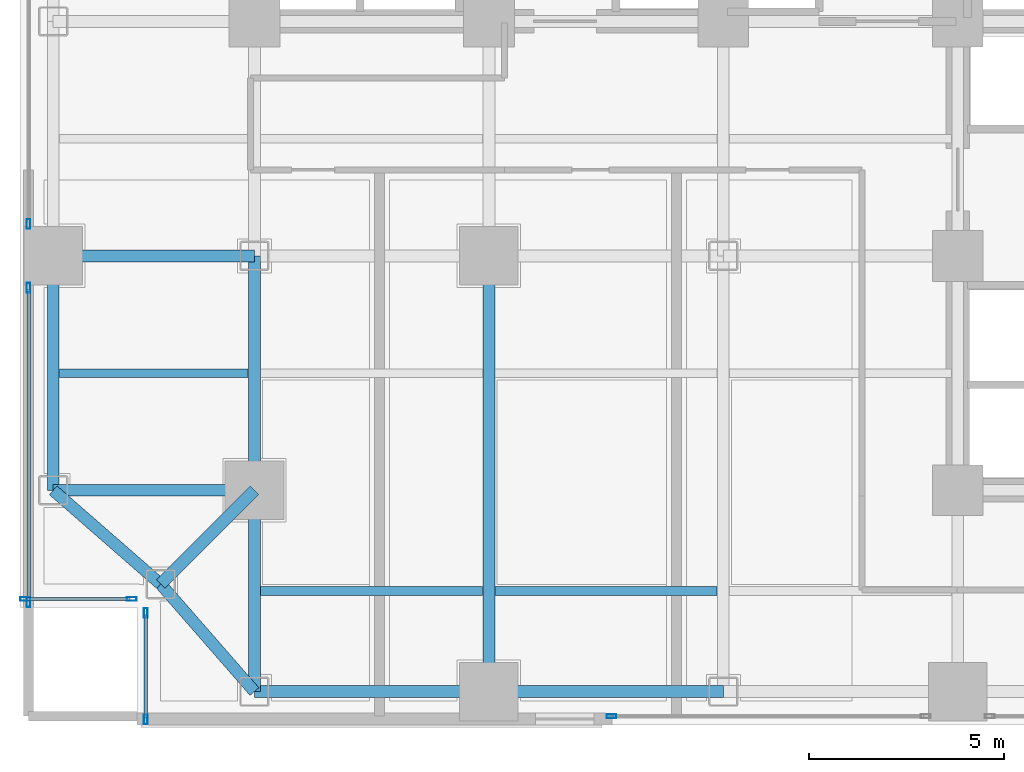
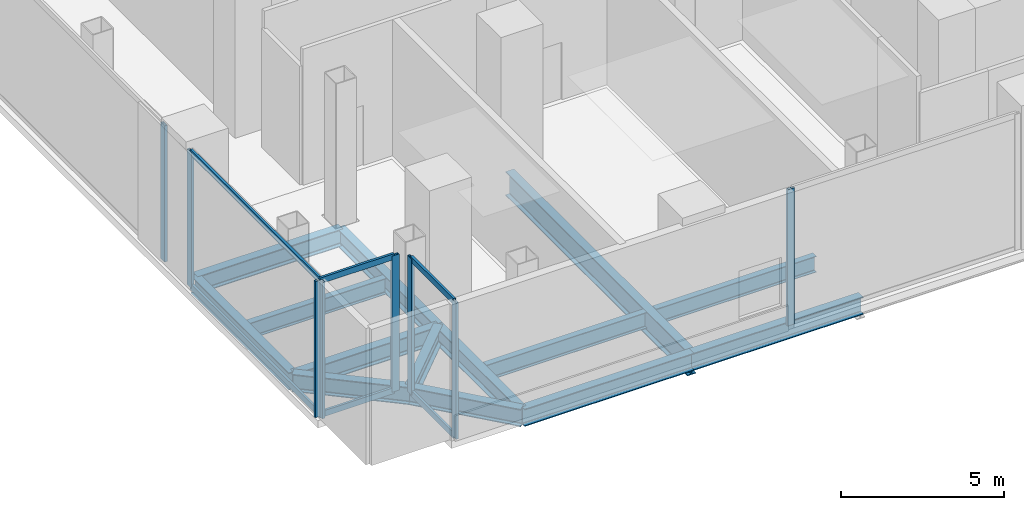
# One storey, part 3 of 28: 14 beams, 14 members, 5 elements without a shape of their own.
"""IFC4 building model written with IfcOpenShell, lengths in metres."""

from ifc_helpers import new_model, si_unit, direction, frame, origin, origin_2d, place, context, subcontext, project, spatial, hollow_rectangle, i_section, extrude, material, layer, layer_set, material_profile, profile_set, type_object, element, aggregate, save


model = new_model("IFC4")

# Units and contexts
model_context = context("Model", 3, precision=1e-05, world=origin(), true_north=direction((0.0, 1.0)))
body_context = subcontext(model_context, "Body", "Model", "MODEL_VIEW")
ifc_project = project(units=[si_unit("LENGTHUNIT", "METRE"), si_unit("AREAUNIT", "SQUARE_METRE"), si_unit("VOLUMEUNIT", "CUBIC_METRE"), si_unit("PLANEANGLEUNIT", "RADIAN"), si_unit("MASSUNIT", "GRAM", prefix="KILO"), si_unit("THERMODYNAMICTEMPERATUREUNIT", "KELVIN"), si_unit("POWERUNIT", "WATT")], contexts=[model_context])

# Site, building, storey
site_placement = place(None, origin())
site = spatial("IfcSite", under=ifc_project, at=site_placement, CompositionType="ELEMENT")
building_placement = place(site_placement, origin())
building = spatial("IfcBuilding", under=site, at=building_placement, Name="Svarakhadi Broadcast Tower", CompositionType="ELEMENT")
storey_placement = place(building_placement, frame((0.0, 0.0, 11.10009765625)))
storey = spatial("IfcBuildingStorey", under=building, at=storey_placement, Name="L02", CompositionType="ELEMENT", Elevation=11.10009765625)

# Beams
ifc_material_1 = material(Name="Steel S355J2 (IS 2062 E350C)", Category="steel")
ifc_material_profile_1 = material_profile(ifc_material_1, i_section(OverallWidth=0.219970703125, OverallDepth=0.60009765625, WebThickness=0.011962890625, FlangeThickness=0.01904296875, FilletRadius=0.02392578125, at=origin_2d()), Name="NPB 600x220x122")
ifc_profile_set_1 = profile_set([ifc_material_profile_1], Name="Steel S355J2 (IS 2062 E350C)")
beam_type_1 = type_object("IfcBeamType", Name="Beam_NPB600", PredefinedType="BEAM", material=ifc_profile_set_1)
beam_1_placement = place(storey_placement, frame((1.010009765625, 9.0, -0.5751953125), z_axis=(1.0, 0.0, 0.0), x_axis=(0.0, 1.0, 0.0)))
element("IfcBeam", 1, at=beam_1_placement, inside=storey, type_object=beam_type_1, Name="L02 Secondary Composite Beam SB001", PredefinedType="BEAM", context=body_context, shape_type="SweptSolid", body=[
    extrude(i_section(OverallWidth=0.219970703125, OverallDepth=0.60009765625, WebThickness=0.011962890625, FlangeThickness=0.01904296875, FilletRadius=0.02392578125, at=origin_2d()), origin(), (0.0, 0.0, 1.0), 4.830078125),
])
for number, where, z_axis, x_axis, name in (
    (2, (6.159912109375, 3.425048828125, -0.5751953125), (1.0, 0.0, 0.0), (0.0, 1.0, 0.0), "L02 Secondary Composite Beam SB007"),
    (3, (12.159912109375, 3.425048828125, -0.5751953125), (1.0, 0.0, 0.0), (0.0, 1.0, 0.0), "L02 Secondary Composite Beam SB010"),
):
    element("IfcBeam", number, at=place(storey_placement, frame(where, z_axis=z_axis, x_axis=x_axis)), inside=storey, type_object=beam_type_1, Name=name, PredefinedType="BEAM", context=body_context, shape_type="SweptSolid", body=[
        extrude(i_section(OverallWidth=0.219970703125, OverallDepth=0.60009765625, WebThickness=0.011962890625, FlangeThickness=0.01904296875, FilletRadius=0.02392578125, at=origin_2d()), origin(), (0.0, 0.0, 1.0), 5.68017578125),
    ])

# Curtain wall, members
ifc_material_2 = material(Name="Anodised Bronze Aluminium AA 6063-T6", Category="aluminium")
ifc_layer = layer(ifc_material_2, 0.25)
ifc_layer_set = layer_set([ifc_layer], Name="Anodised Bronze Aluminium AA 6063-T6")
curtain_wall_type = type_object("IfcCurtainWallType", Name="CW_Sys_01", PredefinedType="NOTDEFINED", material=ifc_layer_set)
curtain_wall_1_placement = place(storey_placement, origin())
curtain_wall_1 = element("IfcCurtainWall", 4, at=curtain_wall_1_placement, inside=storey, type_object=curtain_wall_type, Name="L02 Unitised Facade Curtain Wall 01", PredefinedType="NOTDEFINED")
ifc_material_profile_2 = material_profile(ifc_material_2, hollow_rectangle(XDim=0.094970703125, YDim=0.25, WallThickness=0.006103515625, at=origin_2d()), Name="ALU MULLION 250x95x6")
ifc_profile_set_2 = profile_set([ifc_material_profile_2], Name="Anodised Bronze Aluminium AA 6063-T6")
member_type_1 = type_object("IfcMemberType", Name="CW_Sys_01_Mul", PredefinedType="MULLION", material=ifc_profile_set_2)
member_1_placement = place(storey_placement, frame((2.862548828125, 3.219970703125, 0.0), z_axis=(0.0, 0.0, 1.0), x_axis=(0.0, -1.0, 0.0)))
member_1 = element("IfcMember", 5, at=member_1_placement, type_object=member_type_1, Name="CW-01 mullion 1", PredefinedType="MULLION", context=body_context, shape_type="SweptSolid", body=[
    extrude(hollow_rectangle(XDim=0.094970703125, YDim=0.25, WallThickness=0.006103515625, at=origin_2d()), origin(), (0.0, 0.0, 1.0), 5.099853515625),
])
member_2_placement = place(storey_placement, frame((0.137451171875, 3.219970703125, 0.0), z_axis=(0.0, 0.0, 1.0), x_axis=(0.0, -1.0, 0.0)))
member_2 = element("IfcMember", 6, at=member_2_placement, type_object=member_type_1, Name="CW-01 mullion 2", PredefinedType="MULLION", context=body_context, shape_type="SweptSolid", body=[
    extrude(hollow_rectangle(XDim=0.094970703125, YDim=0.25, WallThickness=0.006103515625, at=origin_2d()), origin(), (0.0, 0.0, 1.0), 5.099853515625),
])

curtain_wall_2_placement = place(storey_placement, origin())
curtain_wall_2 = element("IfcCurtainWall", 7, at=curtain_wall_2_placement, inside=storey, type_object=curtain_wall_type, Name="L02 Unitised Facade Curtain Wall 02 Bay 1", PredefinedType="NOTDEFINED")
member_3_placement = place(storey_placement, frame((0.219970703125, 3.137451171875, 0.0), z_axis=(0.0, 0.0, 1.0), x_axis=(-1.0, 0.0, 0.0)))
member_3 = element("IfcMember", 8, at=member_3_placement, type_object=member_type_1, Name="CW-01 mullion 1", PredefinedType="MULLION", context=body_context, shape_type="SweptSolid", body=[
    extrude(hollow_rectangle(XDim=0.094970703125, YDim=0.25, WallThickness=0.006103515625, at=origin_2d()), origin(), (0.0, 0.0, 1.0), 5.099853515625),
])
member_4_placement = place(storey_placement, frame((0.219970703125, 11.1826171875, 0.0), z_axis=(0.0, 0.0, 1.0), x_axis=(-1.0, 0.0, 0.0)))
member_4 = element("IfcMember", 9, at=member_4_placement, type_object=member_type_1, Name="CW-01 mullion 2", PredefinedType="MULLION", context=body_context, shape_type="SweptSolid", body=[
    extrude(hollow_rectangle(XDim=0.094970703125, YDim=0.25, WallThickness=0.006103515625, at=origin_2d()), origin(), (0.0, 0.0, 1.0), 5.099853515625),
])

# Curtain wall, member
curtain_wall_3_placement = place(storey_placement, origin())
curtain_wall_3 = element("IfcCurtainWall", 10, at=curtain_wall_3_placement, inside=storey, type_object=curtain_wall_type, Name="L02 Unitised Facade Curtain Wall 02 Bay 2", PredefinedType="NOTDEFINED")
member_5_placement = place(storey_placement, frame((0.219970703125, 12.8173828125, 0.0), z_axis=(0.0, 0.0, 1.0), x_axis=(-1.0, 0.0, 0.0)))
member_5 = element("IfcMember", 11, at=member_5_placement, type_object=member_type_1, Name="CW-01 mullion 1", PredefinedType="MULLION", context=body_context, shape_type="SweptSolid", body=[
    extrude(hollow_rectangle(XDim=0.094970703125, YDim=0.25, WallThickness=0.006103515625, at=origin_2d()), origin(), (0.0, 0.0, 1.0), 5.099853515625),
])
aggregate(curtain_wall_3, [member_5])

curtain_wall_4_placement = place(storey_placement, origin())
curtain_wall_4 = element("IfcCurtainWall", 12, at=curtain_wall_4_placement, inside=storey, type_object=curtain_wall_type, Name="L02 South Curtain Wall 11 Bay 5", PredefinedType="NOTDEFINED")
member_6_placement = place(storey_placement, frame((15.137451171875, 0.219970703125, 0.0), z_axis=(0.0, 0.0, 1.0), x_axis=(0.0, -1.0, 0.0)))
member_6 = element("IfcMember", 13, at=member_6_placement, type_object=member_type_1, Name="CW-01 mullion 2", PredefinedType="MULLION", context=body_context, shape_type="SweptSolid", body=[
    extrude(hollow_rectangle(XDim=0.094970703125, YDim=0.25, WallThickness=0.006103515625, at=origin_2d()), origin(), (0.0, 0.0, 1.0), 5.099853515625),
])
aggregate(curtain_wall_4, [member_6])

# Curtain wall, members
curtain_wall_5_placement = place(storey_placement, origin())
curtain_wall_5 = element("IfcCurtainWall", 14, at=curtain_wall_5_placement, inside=storey, type_object=curtain_wall_type, Name="L02 Unitised Facade Curtain Wall 12", PredefinedType="NOTDEFINED")
member_7_placement = place(storey_placement, frame((3.219970703125, 0.137451171875, 0.0), z_axis=(0.0, 0.0, 1.0), x_axis=(-1.0, 0.0, 0.0)))
member_7 = element("IfcMember", 15, at=member_7_placement, type_object=member_type_1, Name="CW-01 mullion 1", PredefinedType="MULLION", context=body_context, shape_type="SweptSolid", body=[
    extrude(hollow_rectangle(XDim=0.094970703125, YDim=0.25, WallThickness=0.006103515625, at=origin_2d()), origin(), (0.0, 0.0, 1.0), 5.099853515625),
])
member_8_placement = place(storey_placement, frame((3.219970703125, 2.862548828125, 0.0), z_axis=(0.0, 0.0, 1.0), x_axis=(-1.0, 0.0, 0.0)))
member_8 = element("IfcMember", 16, at=member_8_placement, type_object=member_type_1, Name="CW-01 mullion 2", PredefinedType="MULLION", context=body_context, shape_type="SweptSolid", body=[
    extrude(hollow_rectangle(XDim=0.094970703125, YDim=0.25, WallThickness=0.006103515625, at=origin_2d()), origin(), (0.0, 0.0, 1.0), 5.099853515625),
])

# Member
ifc_material_profile_3 = material_profile(ifc_material_2, hollow_rectangle(XDim=0.0849609375, YDim=0.219970703125, WallThickness=0.0048828125, at=origin_2d()), Name="ALU TRANSOM 220x85x5")
ifc_profile_set_3 = profile_set([ifc_material_profile_3], Name="Anodised Bronze Aluminium AA 6063-T6")
member_type_2 = type_object("IfcMemberType", Name="CW_Sys_01_Trn", PredefinedType="USERDEFINED", material=ifc_profile_set_3)
member_9_placement = place(storey_placement, frame((2.81494140625, 3.219970703125, 0.04248046875), z_axis=(-1.0, 0.0, 0.0), x_axis=(0.0, -1.0, 0.0)))
member_9 = element("IfcMember", 17, at=member_9_placement, type_object=member_type_2, Name="CW-01 transom 1.1", ObjectType="TRANSOM", PredefinedType="USERDEFINED", context=body_context, shape_type="SweptSolid", body=[
    extrude(hollow_rectangle(XDim=0.0849609375, YDim=0.219970703125, WallThickness=0.0048828125, at=origin_2d()), origin(), (0.0, 0.0, 1.0), 2.6298828125),
])

member_10_placement = place(storey_placement, frame((2.81494140625, 3.219970703125, 5.057373046875), z_axis=(-1.0, 0.0, 0.0), x_axis=(0.0, -1.0, 0.0)))
member_10 = element("IfcMember", 18, at=member_10_placement, type_object=member_type_2, Name="CW-01 transom 1.2", ObjectType="TRANSOM", PredefinedType="USERDEFINED", context=body_context, shape_type="SweptSolid", body=[
    extrude(hollow_rectangle(XDim=0.0849609375, YDim=0.219970703125, WallThickness=0.0048828125, at=origin_2d()), origin(), (0.0, 0.0, 1.0), 2.6298828125),
])

aggregate(curtain_wall_1, [member_1, member_2, member_9, member_10])

member_11_placement = place(storey_placement, frame((0.219970703125, 3.18505859375, 0.04248046875), z_axis=(0.0, 1.0, 0.0), x_axis=(-1.0, 0.0, 0.0)))
member_11 = element("IfcMember", 19, at=member_11_placement, type_object=member_type_2, Name="CW-01 transom 1.1", ObjectType="TRANSOM", PredefinedType="USERDEFINED", context=body_context, shape_type="SweptSolid", body=[
    extrude(hollow_rectangle(XDim=0.0849609375, YDim=0.219970703125, WallThickness=0.0048828125, at=origin_2d()), origin(), (0.0, 0.0, 1.0), 7.949951171875),
])

member_12_placement = place(storey_placement, frame((0.219970703125, 3.18505859375, 5.057373046875), z_axis=(0.0, 1.0, 0.0), x_axis=(-1.0, 0.0, 0.0)))
member_12 = element("IfcMember", 20, at=member_12_placement, type_object=member_type_2, Name="CW-01 transom 1.2", ObjectType="TRANSOM", PredefinedType="USERDEFINED", context=body_context, shape_type="SweptSolid", body=[
    extrude(hollow_rectangle(XDim=0.0849609375, YDim=0.219970703125, WallThickness=0.0048828125, at=origin_2d()), origin(), (0.0, 0.0, 1.0), 7.949951171875),
])

aggregate(curtain_wall_2, [member_3, member_4, member_11, member_12])

member_13_placement = place(storey_placement, frame((3.219970703125, 0.18505859375, 0.04248046875), z_axis=(0.0, 1.0, 0.0), x_axis=(-1.0, 0.0, 0.0)))
member_13 = element("IfcMember", 21, at=member_13_placement, type_object=member_type_2, Name="CW-01 transom 1.1", ObjectType="TRANSOM", PredefinedType="USERDEFINED", context=body_context, shape_type="SweptSolid", body=[
    extrude(hollow_rectangle(XDim=0.0849609375, YDim=0.219970703125, WallThickness=0.0048828125, at=origin_2d()), origin(), (0.0, 0.0, 1.0), 2.6298828125),
])

member_14_placement = place(storey_placement, frame((3.219970703125, 0.18505859375, 5.057373046875), z_axis=(0.0, 1.0, 0.0), x_axis=(-1.0, 0.0, 0.0)))
member_14 = element("IfcMember", 22, at=member_14_placement, type_object=member_type_2, Name="CW-01 transom 1.2", ObjectType="TRANSOM", PredefinedType="USERDEFINED", context=body_context, shape_type="SweptSolid", body=[
    extrude(hollow_rectangle(XDim=0.0849609375, YDim=0.219970703125, WallThickness=0.0048828125, at=origin_2d()), origin(), (0.0, 0.0, 1.0), 2.6298828125),
])

aggregate(curtain_wall_5, [member_7, member_8, member_13, member_14])

# Beams
ifc_material_profile_4 = material_profile(ifc_material_1, i_section(OverallWidth=0.300048828125, OverallDepth=0.64990234375, WebThickness=0.01611328125, FlangeThickness=0.031005859375, FilletRadius=0.027099609375, at=origin_2d()), Name="WPB 650x300x225")
ifc_profile_set_4 = profile_set([ifc_material_profile_4], Name="Steel S355J2 (IS 2062 E350C)")
beam_type_2 = type_object("IfcBeamType", Name="Girder_WPB650", PredefinedType="USERDEFINED", material=ifc_profile_set_4)
beam_2_placement = place(storey_placement, frame((3.60009765625, 3.60009765625, -0.60009765625), z_axis=(0.707106781187, 0.707106781187, 0.0), x_axis=(-0.707106781187, 0.707106781187, 0.0)))
element("IfcBeam", 23, at=beam_2_placement, inside=storey, type_object=beam_type_2, Name="L02 Corner Tie Girder G001", ObjectType="GIRDER", PredefinedType="USERDEFINED", context=body_context, shape_type="SweptSolid", body=[
    extrude(i_section(OverallWidth=0.300048828125, OverallDepth=0.64990234375, WebThickness=0.01611328125, FlangeThickness=0.031005859375, FilletRadius=0.027099609375, at=origin_2d()), origin(), (0.0, 0.0, 1.0), 3.39404296875),
])
for number, where, z_axis, x_axis, name in (
    (24, (3.60009765625, 3.60009765625, -0.60009765625), (-0.753437912176, 0.657519058655, 0.0), (-0.657519058655, -0.753437912176, 0.0), "L02 Corner Tie Girder G002"),
    (25, (3.60009765625, 3.60009765625, -0.60009765625), (0.657519058655, -0.753437912176, 0.0), (0.753437912176, 0.657519058655, 0.0), "L02 Corner Tie Girder G003"),
):
    element("IfcBeam", number, at=place(storey_placement, frame(where, z_axis=z_axis, x_axis=x_axis)), inside=storey, type_object=beam_type_2, Name=name, ObjectType="GIRDER", PredefinedType="USERDEFINED", context=body_context, shape_type="SweptSolid", body=[
        extrude(i_section(OverallWidth=0.300048828125, OverallDepth=0.64990234375, WebThickness=0.01611328125, FlangeThickness=0.031005859375, FilletRadius=0.027099609375, at=origin_2d()), origin(), (0.0, 0.0, 1.0), 3.64990234375),
    ])
for number, where, z_axis, x_axis, name in (
    (26, (6.0, 0.85009765625, -0.60009765625), (1.0, 0.0, 0.0), (0.0, 1.0, 0.0), "L02 Primary E-W Girder G004"),
    (27, (12.0, 0.85009765625, -0.60009765625), (1.0, 0.0, 0.0), (0.0, 1.0, 0.0), "L02 Primary E-W Girder G005"),
):
    element("IfcBeam", number, at=place(storey_placement, frame(where, z_axis=z_axis, x_axis=x_axis)), inside=storey, type_object=beam_type_2, Name=name, ObjectType="GIRDER", PredefinedType="USERDEFINED", context=body_context, shape_type="SweptSolid", body=[
        extrude(i_section(OverallWidth=0.300048828125, OverallDepth=0.64990234375, WebThickness=0.01611328125, FlangeThickness=0.031005859375, FilletRadius=0.027099609375, at=origin_2d()), origin(), (0.0, 0.0, 1.0), 6.0),
    ])
for number, where, z_axis, x_axis, name in (
    (28, (0.85009765625, 6.0, -0.60009765625), (1.0, 0.0, 0.0), (0.0, 1.0, 0.0), "L02 Primary E-W Girder G012"),
    (29, (0.85009765625, 12.0, -0.60009765625), (1.0, 0.0, 0.0), (0.0, 1.0, 0.0), "L02 Primary E-W Girder G014"),
):
    element("IfcBeam", number, at=place(storey_placement, frame(where, z_axis=z_axis, x_axis=x_axis)), inside=storey, type_object=beam_type_2, Name=name, ObjectType="GIRDER", PredefinedType="USERDEFINED", context=body_context, shape_type="SweptSolid", body=[
        extrude(i_section(OverallWidth=0.300048828125, OverallDepth=0.64990234375, WebThickness=0.01611328125, FlangeThickness=0.031005859375, FilletRadius=0.027099609375, at=origin_2d()), origin(), (0.0, 0.0, 1.0), 5.14990234375),
    ])
beam_3_placement = place(storey_placement, frame((0.85009765625, 6.0, -0.60009765625), z_axis=(0.0, 1.0, 0.0), x_axis=(-1.0, 0.0, 0.0)))
element("IfcBeam", 30, at=beam_3_placement, inside=storey, type_object=beam_type_2, Name="L02 Primary N-S Girder G044", ObjectType="GIRDER", PredefinedType="USERDEFINED", context=body_context, shape_type="SweptSolid", body=[
    extrude(i_section(OverallWidth=0.300048828125, OverallDepth=0.64990234375, WebThickness=0.01611328125, FlangeThickness=0.031005859375, FilletRadius=0.027099609375, at=origin_2d()), origin(), (0.0, 0.0, 1.0), 6.0),
])
beam_4_placement = place(storey_placement, frame((6.0, 0.85009765625, -0.60009765625), z_axis=(0.0, 1.0, 0.0), x_axis=(-1.0, 0.0, 0.0)))
element("IfcBeam", 31, at=beam_4_placement, inside=storey, type_object=beam_type_2, Name="L02 Primary N-S Girder G050", ObjectType="GIRDER", PredefinedType="USERDEFINED", context=body_context, shape_type="SweptSolid", body=[
    extrude(i_section(OverallWidth=0.300048828125, OverallDepth=0.64990234375, WebThickness=0.01611328125, FlangeThickness=0.031005859375, FilletRadius=0.027099609375, at=origin_2d()), origin(), (0.0, 0.0, 1.0), 5.14990234375),
])
beam_5_placement = place(storey_placement, frame((6.0, 6.0, -0.60009765625), z_axis=(0.0, 1.0, 0.0), x_axis=(-1.0, 0.0, 0.0)))
element("IfcBeam", 32, at=beam_5_placement, inside=storey, type_object=beam_type_2, Name="L02 Primary N-S Girder G051", ObjectType="GIRDER", PredefinedType="USERDEFINED", context=body_context, shape_type="SweptSolid", body=[
    extrude(i_section(OverallWidth=0.300048828125, OverallDepth=0.64990234375, WebThickness=0.01611328125, FlangeThickness=0.031005859375, FilletRadius=0.027099609375, at=origin_2d()), origin(), (0.0, 0.0, 1.0), 6.0),
])
ifc_material_3 = material(Name="Steel S460ML (IS 2062 E450BR)", Category="steel")
ifc_material_profile_5 = material_profile(ifc_material_3, i_section(OverallWidth=0.300048828125, OverallDepth=0.89990234375, WebThickness=0.0185546875, FlangeThickness=0.034912109375, FilletRadius=0.030029296875, at=origin_2d()), Name="WPB 900x300x291")
ifc_profile_set_5 = profile_set([ifc_material_profile_5], Name="Steel S460ML (IS 2062 E450BR)")
beam_type_3 = type_object("IfcBeamType", Name="Girder_WPB900", PredefinedType="USERDEFINED", material=ifc_profile_set_5)
beam_6_placement = place(storey_placement, frame((12.0, 0.85009765625, -0.72509765625), z_axis=(0.0, 1.0, 0.0), x_axis=(-1.0, 0.0, 0.0)))
element("IfcBeam", 33, at=beam_6_placement, inside=storey, type_object=beam_type_3, Name="L02 Primary N-S Girder G057", ObjectType="GIRDER", PredefinedType="USERDEFINED", context=body_context, shape_type="SweptSolid", body=[
    extrude(i_section(OverallWidth=0.300048828125, OverallDepth=0.89990234375, WebThickness=0.0185546875, FlangeThickness=0.034912109375, FilletRadius=0.030029296875, at=origin_2d()), origin(), (0.0, 0.0, 1.0), 11.14990234375),
])

save(model, "model.ifc")
